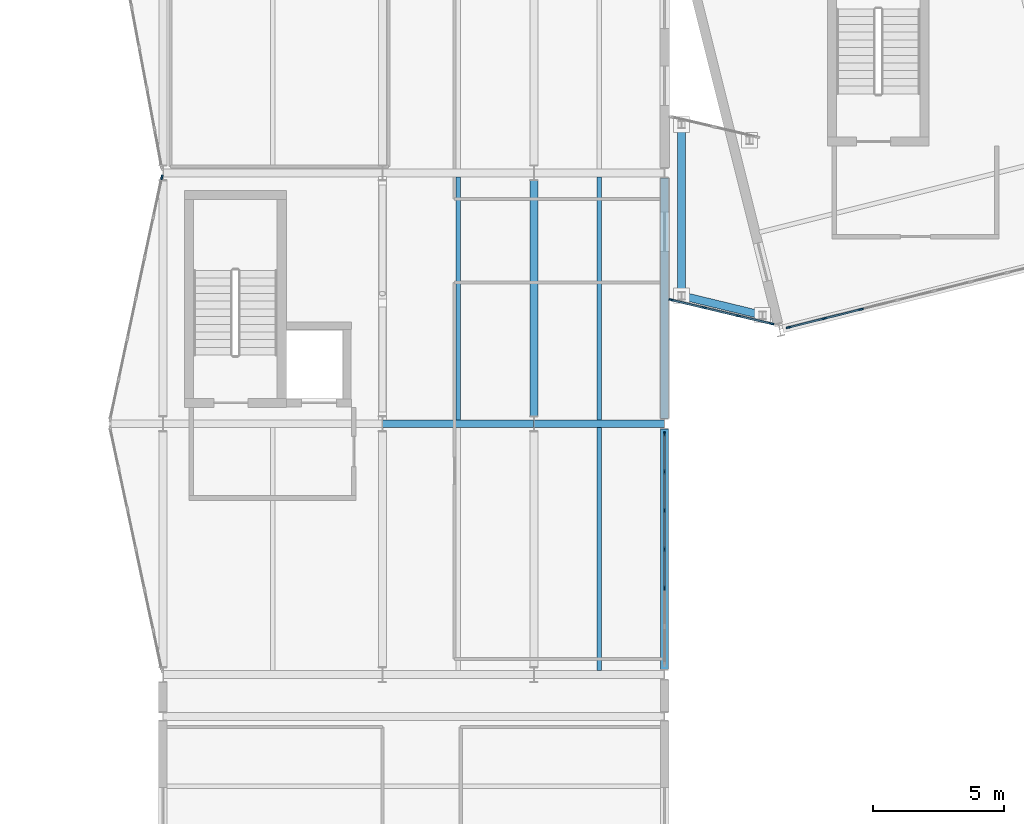
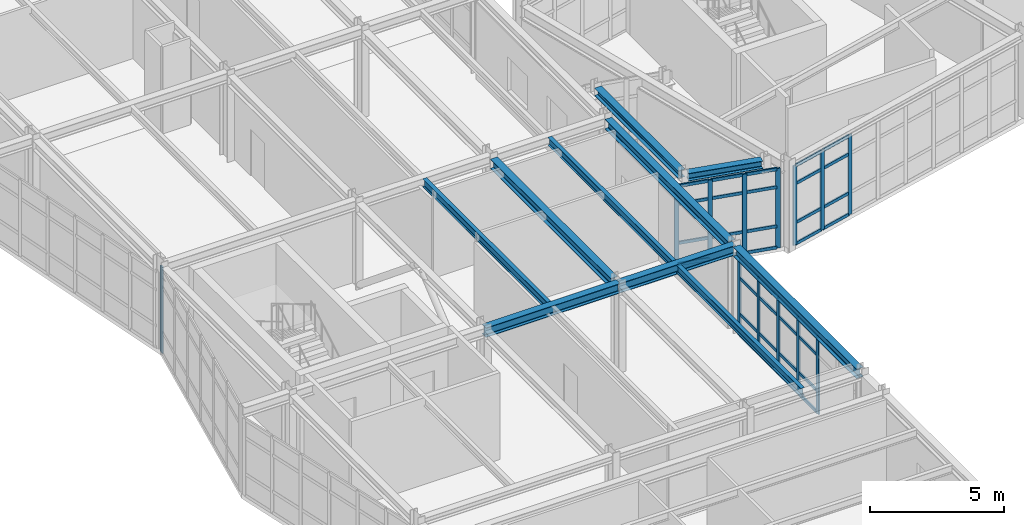
# One storey, part 23 of 99: 49 members, 10 beams, 4 elements without a shape of their own.
"""IFC4 building model written with IfcOpenShell, lengths in metres."""

import ifcopenshell
import ifcopenshell.guid

model = None  # the IFC model being written
_history = None  # IfcOwnerHistory: only IFC2X3 demands one
_inside = {}  # id of a spatial element -> (the spatial element, [elements in it])
_under = {}  # id of a project, library or spatial element -> (it, [spatial elements below it])
_declared = {}  # id of a project -> (the project, [libraries it declares])
_typed = {}  # id of a type object -> (the type object, [elements of that type])
_made_of = {}  # id of a material, layer set ... -> (it, [elements and type objects made of it])


def new_model(schema):
    """Start an empty IFC model of exactly this schema.

    Asked for "IFC4X3", IfcOpenShell would pick the latest addendum, in which some entities
    have other attributes; the version numbers below select the first issue.
    IFC2X3 requires an IfcOwnerHistory on every rooted entity: one is made here for all.
    """
    global model, _history
    if schema == "IFC4X3":
        model = ifcopenshell.file(schema_version=(4, 3, 0, 0))
    else:
        model = ifcopenshell.file(schema=schema)
    _inside.clear()
    _under.clear()
    _declared.clear()
    _typed.clear()
    _made_of.clear()
    _history = None
    if model.schema == "IFC2X3":
        org = make("IfcOrganization", Name="unknown")
        user = make(
            "IfcPersonAndOrganization",
            ThePerson=make("IfcPerson", FamilyName="unknown"),
            TheOrganization=org,
        )
        app = make(
            "IfcApplication",
            ApplicationDeveloper=org,
            Version="unknown",
            ApplicationFullName="unknown",
            ApplicationIdentifier="unknown",
        )
        _history = make(
            "IfcOwnerHistory",
            OwningUser=user,
            OwningApplication=app,
            ChangeAction="ADDED",
            CreationDate=0,
        )
    return model


def make(cls, **values):
    """One entity of the class cls with the attributes given. An attribute that is None is left unset."""
    return model.create_entity(
        cls, **{name: value for name, value in values.items() if value is not None}
    )


def rooted(cls, **values):
    """An entity with a GlobalId (a new one), such as an element, a storey or a relation."""
    return make(cls, GlobalId=ifcopenshell.guid.new(), OwnerHistory=_history, **values)


def si_unit(unit_type, name, prefix=None):
    """IfcSIUnit, for example si_unit("LENGTHUNIT", "METRE", prefix="MILLI")."""
    return make("IfcSIUnit", UnitType=unit_type, Prefix=prefix, Name=name)


def assignment(units):
    """IfcUnitAssignment: the units of a project."""
    return None if units is None else make("IfcUnitAssignment", Units=units)


def point(xyz):
    """IfcCartesianPoint."""
    return None if xyz is None else make("IfcCartesianPoint", Coordinates=xyz)


def direction(xyz):
    """IfcDirection."""
    return None if xyz is None else make("IfcDirection", DirectionRatios=xyz)


def frame(location, z_axis=None, x_axis=None):
    """IfcAxis2Placement3D, a coordinate frame: its origin and axes. An axis left out is left unset."""
    return make(
        "IfcAxis2Placement3D",
        Location=point(location),
        Axis=direction(z_axis),
        RefDirection=direction(x_axis),
    )


def frame_2d(location, x_axis=None):
    """IfcAxis2Placement2D, a coordinate frame in the plane: its origin and x axis."""
    return make(
        "IfcAxis2Placement2D", Location=point(location), RefDirection=direction(x_axis)
    )


def origin():
    """The frame at (0, 0, 0) with its axes left unset."""
    return frame((0.0, 0.0, 0.0))


def origin_2d():
    """The frame at (0, 0) in the plane with its x axis left unset."""
    return frame_2d((0.0, 0.0))


def place(relative_to, where):
    """IfcLocalPlacement: puts the frame where relative to a parent placement (None: the world)."""
    return make(
        "IfcLocalPlacement", PlacementRelTo=relative_to, RelativePlacement=where
    )


def context(
    kind, dimensions, precision=None, world=None, true_north=None, identifier=None
):
    """IfcGeometricRepresentationContext, for example the 3D "Model" context."""
    return make(
        "IfcGeometricRepresentationContext",
        ContextIdentifier=identifier,
        ContextType=kind,
        CoordinateSpaceDimension=dimensions,
        Precision=precision,
        WorldCoordinateSystem=world,
        TrueNorth=true_north,
    )


def subcontext(parent, identifier, kind, view, scale=None):
    """IfcGeometricRepresentationSubContext, for example "Body" below "Model"."""
    return make(
        "IfcGeometricRepresentationSubContext",
        ContextIdentifier=identifier,
        ContextType=kind,
        ParentContext=parent,
        TargetScale=scale,
        TargetView=view,
    )


def project(units=None, contexts=None):
    """IfcProject with its units and contexts."""
    return rooted(
        "IfcProject",
        Name="project",
        RepresentationContexts=contexts,
        UnitsInContext=assignment(units),
    )


def spatial(cls, under=None, at=None, **own):
    """A site, building, storey or space (cls), placed at a placement, below another one or the project."""
    s = rooted(cls, ObjectPlacement=at, **own)
    if under is not None:
        _under.setdefault(under.id(), (under, []))[1].append(s)
    return s


def profile(cls, at=None, kind="AREA", **sizes):
    """A parametric profile (cls). Its sizes go by their IFC names, for example OverallWidth=200.0."""
    return make(cls, ProfileType=kind, Position=at, **sizes)


def rectangle(**sizes):
    """IfcRectangleProfileDef."""
    return profile("IfcRectangleProfileDef", **sizes)


def i_section(**sizes):
    """IfcIShapeProfileDef."""
    return profile("IfcIShapeProfileDef", **sizes)


def extrude(swept, where, along, depth):
    """IfcExtrudedAreaSolid: the profile swept, set in the frame where, extruded along a direction by depth."""
    return make(
        "IfcExtrudedAreaSolid",
        SweptArea=swept,
        Position=where,
        ExtrudedDirection=direction(along),
        Depth=depth,
    )


def shape(context_of_items, identifier, shape_type, items):
    """IfcShapeRepresentation: the items that make up one representation, for example the "Body"."""
    return make(
        "IfcShapeRepresentation",
        ContextOfItems=context_of_items,
        RepresentationIdentifier=identifier,
        RepresentationType=shape_type,
        Items=items,
    )


def material(Name=None, Category=None):
    """IfcMaterial."""
    return make("IfcMaterial", Name=Name, Category=Category)


def layer(
    of_material, thickness, ventilated=None, Name=None, Category=None, Priority=None
):
    """IfcMaterialLayer: one layer of a wall or slab, of a material (None: an air gap)."""
    return make(
        "IfcMaterialLayer",
        Material=of_material,
        LayerThickness=thickness,
        IsVentilated=ventilated,
        Name=Name,
        Category=Category,
        Priority=Priority,
    )


def layer_set(layers, Name=None):
    """IfcMaterialLayerSet."""
    return make("IfcMaterialLayerSet", MaterialLayers=layers, LayerSetName=Name)


def material_profile(
    of_material, cross_section, Name=None, Category=None, Priority=None
):
    """IfcMaterialProfile: a cross section and its material."""
    return make(
        "IfcMaterialProfile",
        Name=Name,
        Material=of_material,
        Profile=cross_section,
        Priority=Priority,
        Category=Category,
    )


def profile_set(profiles, Name=None, composite=None):
    """IfcMaterialProfileSet."""
    return make(
        "IfcMaterialProfileSet",
        Name=Name,
        MaterialProfiles=profiles,
        CompositeProfile=composite,
    )


def made_of(thing, what):
    """Note that an element or type object is made of a material, layer set ...; save() writes the relation."""
    if what is not None:
        _made_of.setdefault(what.id(), (what, []))[1].append(thing)
    return thing


def type_object(cls, material=None, **own):
    """A type object (cls), such as IfcWallType, which elements share."""
    return made_of(rooted(cls, **own), material)


def element(
    cls,
    number,
    at=None,
    inside=None,
    cuts=None,
    type_object=None,
    material=None,
    context=None,
    identifier="Body",
    shape_type=None,
    held_by="IfcProductDefinitionShape",
    body=None,
    shapes=None,
    **own,
):
    """One element of the class cls, such as IfcWall. Its Tag is "e" and its number.

    at: its placement. inside: the storey or other place that contains it. cuts: it is an
    opening in that element (IfcRelVoidsElement). A single representation is given by context,
    identifier, shape_type and body (its items); several are given by shapes. held_by: the class
    of the entity that holds the representations. save() writes the other relations.
    """
    e = rooted(cls, Tag="e%d" % number, ObjectPlacement=at, **own)
    if body is not None:
        shapes = [shape(context, identifier, shape_type, body)]
    if shapes is not None:
        e.Representation = make(held_by, Representations=shapes)
    if inside is not None:
        _inside.setdefault(inside.id(), (inside, []))[1].append(e)
    if cuts is not None:
        rooted(
            "IfcRelVoidsElement", RelatingBuildingElement=cuts, RelatedOpeningElement=e
        )
    if type_object is not None:
        _typed.setdefault(type_object.id(), (type_object, []))[1].append(e)
    return made_of(e, material)


def aggregate(whole, parts):
    """IfcRelAggregates: a whole, such as a stair, and the parts it consists of."""
    return rooted("IfcRelAggregates", RelatingObject=whole, RelatedObjects=parts)


def save(model, path):
    """Write the relations noted so far, then the file.

    IfcRelAggregates (storeys below a building ...), IfcRelContainedInSpatialStructure (elements
    in a storey), IfcRelDefinesByType, IfcRelAssociatesMaterial and IfcRelDeclares: one each for
    every whole, place, type object, material and project.
    """
    for whole, parts in _under.values():
        aggregate(whole, parts)
    for where, things in _inside.values():
        rooted(
            "IfcRelContainedInSpatialStructure",
            RelatedElements=things,
            RelatingStructure=where,
        )
    for kind, things in _typed.values():
        rooted("IfcRelDefinesByType", RelatedObjects=things, RelatingType=kind)
    for what, things in _made_of.values():
        rooted("IfcRelAssociatesMaterial", RelatedObjects=things, RelatingMaterial=what)
    for by, libraries in _declared.values():
        rooted("IfcRelDeclares", RelatingContext=by, RelatedDefinitions=libraries)
    model.write(path)


model = new_model("IFC4")

# Units and contexts
model_context = context("Model", 3, precision=1e-05, world=origin(), true_north=direction((0.0, 1.0)))
body_context = subcontext(model_context, "Body", "Model", "MODEL_VIEW")
ifc_project = project(units=[si_unit("LENGTHUNIT", "METRE"), si_unit("AREAUNIT", "SQUARE_METRE"), si_unit("VOLUMEUNIT", "CUBIC_METRE"), si_unit("PLANEANGLEUNIT", "RADIAN"), si_unit("MASSUNIT", "GRAM", prefix="KILO")], contexts=[model_context])

# Site, building, storey
site_placement = place(None, origin())
site = spatial("IfcSite", under=ifc_project, at=site_placement, CompositionType="ELEMENT")
building_placement = place(site_placement, origin())
building = spatial("IfcBuilding", under=site, at=building_placement, Name="Nordkorset Police Headquarters", CompositionType="ELEMENT")
storey_placement = place(building_placement, frame((0.0, 0.0, 5.25)))
storey = spatial("IfcBuildingStorey", under=building, at=storey_placement, Name="L01", CompositionType="ELEMENT", Elevation=5.25)

# Beams
ifc_material_1 = material(Name="Steel S355J2", Category="steel")
ifc_material_profile_1 = material_profile(ifc_material_1, i_section(OverallWidth=0.169921875, OverallDepth=0.360107421875, WebThickness=0.008056640625, FlangeThickness=0.0126953125, FilletRadius=0.01806640625, at=origin_2d()), Name="IPE 360")
ifc_profile_set_1 = profile_set([ifc_material_profile_1], Name="Steel S355J2")
beam_type_1 = type_object("IfcBeamType", Name="Beam_IPE_360", PredefinedType="BEAM", material=ifc_profile_set_1)
for number, where, z_axis, x_axis, name in (
    (1, (11.300048828125, 38.550048828125, 3.780029296875), (0.0, 1.0, 0.0), (-1.0, 0.0, 0.0), "Composite Floor Beam V3 L01 1-1-1"),
    (2, (16.699951171875, 28.949951171875, 3.780029296875), (0.0, 1.0, 0.0), (-1.0, 0.0, 0.0), "Composite Floor Beam V3 L01 2-0-1"),
    (3, (16.699951171875, 38.550048828125, 3.780029296875), (0.0, 1.0, 0.0), (-1.0, 0.0, 0.0), "Composite Floor Beam V3 L01 2-1-1"),
):
    element("IfcBeam", number, at=place(storey_placement, frame(where, z_axis=z_axis, x_axis=x_axis)), inside=storey, type_object=beam_type_1, Name=name, PredefinedType="BEAM", context=body_context, shape_type="SweptSolid", body=[
        extrude(i_section(OverallWidth=0.169921875, OverallDepth=0.360107421875, WebThickness=0.008056640625, FlangeThickness=0.0126953125, FilletRadius=0.01806640625, at=origin_2d()), origin(), (0.0, 0.0, 1.0), 9.300048828125),
    ])

# Curtain wall, members
ifc_material_2 = material(Name="Aluminium alloy AW-6060", Category="aluminium")
ifc_layer_1 = layer(ifc_material_2, 0.179931640625, Name="Aluminium alloy AW-6060")
ifc_layer_set_1 = layer_set([ifc_layer_1], Name="Aluminium alloy AW-6060")
curtain_wall_type_1 = type_object("IfcCurtainWallType", Name="CW_Unit_888x350", PredefinedType="USERDEFINED", material=ifc_layer_set_1)
curtain_wall_1_placement = place(storey_placement, origin())
curtain_wall_1 = element("IfcCurtainWall", 4, at=curtain_wall_1_placement, inside=storey, type_object=curtain_wall_type_1, Name="Unitised Curtain Wall L01 V3E-0", ObjectType="UNITISED CURTAIN WALL", PredefinedType="USERDEFINED")
ifc_material_3 = material(Name="Aluminium alloy AW-6060", Category="aluminium")
ifc_material_profile_2 = material_profile(ifc_material_3, rectangle(XDim=0.06494140625, YDim=0.179931640625, at=origin_2d()), Name="ALU MULL 65x180")
ifc_profile_set_2 = profile_set([ifc_material_profile_2], Name="Aluminium alloy AW-6060")
member_type_1 = type_object("IfcMemberType", Name="CW_Mullion_65x180", PredefinedType="MULLION", material=ifc_profile_set_2)
member_1_placement = place(storey_placement, frame((19.199951171875, 32.1201171875, 0.0), z_axis=(0.0, 0.0, 1.0), x_axis=(-1.0, 0.0, 0.0)))
member_1 = element("IfcMember", 5, at=member_1_placement, type_object=member_type_1, Name="CW-95 mullion 3", PredefinedType="MULLION", context=body_context, shape_type="SweptSolid", body=[
    extrude(rectangle(XDim=0.06494140625, YDim=0.179931640625, at=origin_2d()), origin(), (0.0, 0.0, 1.0), 3.5),
])
member_2_placement = place(storey_placement, frame((19.199951171875, 33.60009765625, 0.0), z_axis=(0.0, 0.0, 1.0), x_axis=(-1.0, 0.0, 0.0)))
member_2 = element("IfcMember", 6, at=member_2_placement, type_object=member_type_1, Name="CW-95 mullion 4", PredefinedType="MULLION", context=body_context, shape_type="SweptSolid", body=[
    extrude(rectangle(XDim=0.06494140625, YDim=0.179931640625, at=origin_2d()), origin(), (0.0, 0.0, 1.0), 3.5),
])
member_3_placement = place(storey_placement, frame((19.199951171875, 35.080078125, 0.0), z_axis=(0.0, 0.0, 1.0), x_axis=(-1.0, 0.0, 0.0)))
member_3 = element("IfcMember", 7, at=member_3_placement, type_object=member_type_1, Name="CW-95 mullion 5", PredefinedType="MULLION", context=body_context, shape_type="SweptSolid", body=[
    extrude(rectangle(XDim=0.06494140625, YDim=0.179931640625, at=origin_2d()), origin(), (0.0, 0.0, 1.0), 3.5),
])
member_4_placement = place(storey_placement, frame((19.199951171875, 36.56005859375, 0.0), z_axis=(0.0, 0.0, 1.0), x_axis=(-1.0, 0.0, 0.0)))
member_4 = element("IfcMember", 8, at=member_4_placement, type_object=member_type_1, Name="CW-95 mullion 6", PredefinedType="MULLION", context=body_context, shape_type="SweptSolid", body=[
    extrude(rectangle(XDim=0.06494140625, YDim=0.179931640625, at=origin_2d()), origin(), (0.0, 0.0, 1.0), 3.5),
])
member_5_placement = place(storey_placement, frame((19.199951171875, 38.007568359375, 0.0), z_axis=(0.0, 0.0, 1.0), x_axis=(-1.0, 0.0, 0.0)))
member_5 = element("IfcMember", 9, at=member_5_placement, type_object=member_type_1, Name="CW-95 mullion 7", PredefinedType="MULLION", context=body_context, shape_type="SweptSolid", body=[
    extrude(rectangle(XDim=0.06494140625, YDim=0.179931640625, at=origin_2d()), origin(), (0.0, 0.0, 1.0), 3.5),
])

# Curtain wall, member
ifc_material_4 = material(Name="Aluminium alloy AW-6060", Category="aluminium")
ifc_layer_2 = layer(ifc_material_4, 0.179931640625, Name="Aluminium alloy AW-6060")
ifc_layer_set_2 = layer_set([ifc_layer_2], Name="Aluminium alloy AW-6060")
curtain_wall_type_2 = type_object("IfcCurtainWallType", Name="CW_Unit_954x392", PredefinedType="USERDEFINED", material=ifc_layer_set_2)
curtain_wall_2_placement = place(storey_placement, origin())
curtain_wall_2 = element("IfcCurtainWall", 10, at=curtain_wall_2_placement, inside=storey, type_object=curtain_wall_type_2, Name="Unitised Curtain Wall L01 V3W-1", ObjectType="UNITISED CURTAIN WALL", PredefinedType="USERDEFINED")
member_6_placement = place(storey_placement, frame((-0.0361328125, 47.831298828125, 0.0), z_axis=(0.0, 0.0, 1.0), x_axis=(-0.977951416289, 0.208832534289, 0.0)))
member_6 = element("IfcMember", 11, at=member_6_placement, type_object=member_type_1, Name="CW-20 mullion 7", PredefinedType="MULLION", context=body_context, shape_type="SweptSolid", body=[
    extrude(rectangle(XDim=0.06494140625, YDim=0.179931640625, at=origin_2d()), origin(), (0.0, 0.0, 1.0), 3.919921875),
])
aggregate(curtain_wall_2, [member_6])

# Curtain wall, members
ifc_material_5 = material(Name="Aluminium alloy AW-6060", Category="aluminium")
ifc_layer_3 = layer(ifc_material_5, 0.179931640625, Name="Aluminium alloy AW-6060")
ifc_layer_set_3 = layer_set([ifc_layer_3], Name="Aluminium alloy AW-6060")
curtain_wall_type_3 = type_object("IfcCurtainWallType", Name="CW_Unit_1156x363", PredefinedType="USERDEFINED", material=ifc_layer_set_3)
curtain_wall_3_placement = place(storey_placement, origin())
curtain_wall_3 = element("IfcCurtainWall", 12, at=curtain_wall_3_placement, inside=storey, type_object=curtain_wall_type_3, Name="Unitised Curtain Wall L01 V4S-0", ObjectType="UNITISED CURTAIN WALL", PredefinedType="USERDEFINED")
member_7_placement = place(storey_placement, frame((23.94189453125, 42.08544921875, 0.0), z_axis=(0.0, 0.0, 1.0), x_axis=(-0.242535625038, 0.970142500145, 0.0)))
member_7 = element("IfcMember", 13, at=member_7_placement, type_object=member_type_1, Name="CW-01 mullion 1", PredefinedType="MULLION", context=body_context, shape_type="SweptSolid", body=[
    extrude(rectangle(XDim=0.06494140625, YDim=0.179931640625, at=origin_2d()), origin(), (0.0, 0.0, 1.0), 3.6298828125),
])
member_8_placement = place(storey_placement, frame((25.312255859375, 42.427978515625, 0.0), z_axis=(0.0, 0.0, 1.0), x_axis=(-0.242535625038, 0.970142500145, 0.0)))
member_8 = element("IfcMember", 14, at=member_8_placement, type_object=member_type_1, Name="CW-01 mullion 2", PredefinedType="MULLION", context=body_context, shape_type="SweptSolid", body=[
    extrude(rectangle(XDim=0.06494140625, YDim=0.179931640625, at=origin_2d()), origin(), (0.0, 0.0, 1.0), 3.6298828125),
])
member_9_placement = place(storey_placement, frame((26.714111328125, 42.778564453125, 0.0), z_axis=(0.0, 0.0, 1.0), x_axis=(-0.242535625038, 0.970142500145, 0.0)))
member_9 = element("IfcMember", 15, at=member_9_placement, type_object=member_type_1, Name="CW-01 mullion 3", PredefinedType="MULLION", context=body_context, shape_type="SweptSolid", body=[
    extrude(rectangle(XDim=0.06494140625, YDim=0.179931640625, at=origin_2d()), origin(), (0.0, 0.0, 1.0), 3.6298828125),
])

ifc_material_6 = material(Name="Aluminium alloy AW-6060", Category="aluminium")
ifc_layer_4 = layer(ifc_material_6, 0.179931640625, Name="Aluminium alloy AW-6060")
ifc_layer_set_4 = layer_set([ifc_layer_4], Name="Aluminium alloy AW-6060")
curtain_wall_type_4 = type_object("IfcCurtainWallType", Name="CW_Unit_401x364", PredefinedType="USERDEFINED", material=ifc_layer_set_4)
curtain_wall_4_placement = place(storey_placement, origin())
curtain_wall_4 = element("IfcCurtainWall", 16, at=curtain_wall_4_placement, inside=storey, type_object=curtain_wall_type_4, Name="Unitised Curtain Wall L01 BRGW-S", ObjectType="UNITISED CURTAIN WALL", PredefinedType="USERDEFINED")
member_10_placement = place(storey_placement, frame((19.456787109375, 43.140869140625, 0.0), z_axis=(0.0, 0.0, 1.0), x_axis=(0.231206329825, 0.972904739966, 0.0)))
member_10 = element("IfcMember", 17, at=member_10_placement, type_object=member_type_1, Name="CW-14 mullion 1", PredefinedType="MULLION", context=body_context, shape_type="SweptSolid", body=[
    extrude(rectangle(XDim=0.06494140625, YDim=0.179931640625, at=origin_2d()), origin(), (0.0, 0.0, 1.0), 3.635009765625),
])
member_11_placement = place(storey_placement, frame((20.72509765625, 42.83935546875, 0.0), z_axis=(0.0, 0.0, 1.0), x_axis=(0.231206329825, 0.972904739966, 0.0)))
member_11 = element("IfcMember", 18, at=member_11_placement, type_object=member_type_1, Name="CW-14 mullion 2", PredefinedType="MULLION", context=body_context, shape_type="SweptSolid", body=[
    extrude(rectangle(XDim=0.06494140625, YDim=0.179931640625, at=origin_2d()), origin(), (0.0, 0.0, 1.0), 3.635009765625),
])
member_12_placement = place(storey_placement, frame((22.02490234375, 42.530517578125, 0.0), z_axis=(0.0, 0.0, 1.0), x_axis=(0.231206329825, 0.972904739966, 0.0)))
member_12 = element("IfcMember", 19, at=member_12_placement, type_object=member_type_1, Name="CW-14 mullion 3", PredefinedType="MULLION", context=body_context, shape_type="SweptSolid", body=[
    extrude(rectangle(XDim=0.06494140625, YDim=0.179931640625, at=origin_2d()), origin(), (0.0, 0.0, 1.0), 3.635009765625),
])
member_13_placement = place(storey_placement, frame((23.293212890625, 42.229248046875, 0.0), z_axis=(0.0, 0.0, 1.0), x_axis=(0.231206329825, 0.972904739966, 0.0)))
member_13 = element("IfcMember", 20, at=member_13_placement, type_object=member_type_1, Name="CW-14 mullion 4", PredefinedType="MULLION", context=body_context, shape_type="SweptSolid", body=[
    extrude(rectangle(XDim=0.06494140625, YDim=0.179931640625, at=origin_2d()), origin(), (0.0, 0.0, 1.0), 3.635009765625),
])

# Member
ifc_material_7 = material(Name="Aluminium alloy AW-6060", Category="aluminium")
ifc_material_profile_3 = material_profile(ifc_material_7, rectangle(XDim=0.06494140625, YDim=0.139892578125, at=origin_2d()), Name="ALU TRAN 65x140")
ifc_profile_set_3 = profile_set([ifc_material_profile_3], Name="Aluminium alloy AW-6060")
member_type_2 = type_object("IfcMemberType", Name="CW_Transom_65x140", PredefinedType="USERDEFINED", material=ifc_profile_set_3)
member_14_placement = place(storey_placement, frame((19.199951171875, 32.152587890625, 0.032470703125), z_axis=(0.0, 1.0, 0.0), x_axis=(-1.0, 0.0, 0.0)))
member_14 = element("IfcMember", 21, at=member_14_placement, type_object=member_type_2, Name="CW-95 transom 3.1", ObjectType="TRANSOM", PredefinedType="USERDEFINED", context=body_context, shape_type="SweptSolid", body=[
    extrude(rectangle(XDim=0.06494140625, YDim=0.139892578125, at=origin_2d()), origin(), (0.0, 0.0, 1.0), 1.414794921875),
])

member_15_placement = place(storey_placement, frame((19.199951171875, 32.152587890625, 1.0), z_axis=(0.0, 1.0, 0.0), x_axis=(-1.0, 0.0, 0.0)))
member_15 = element("IfcMember", 22, at=member_15_placement, type_object=member_type_2, Name="CW-95 transom 3.2", ObjectType="TRANSOM", PredefinedType="USERDEFINED", context=body_context, shape_type="SweptSolid", body=[
    extrude(rectangle(XDim=0.06494140625, YDim=0.139892578125, at=origin_2d()), origin(), (0.0, 0.0, 1.0), 1.414794921875),
])

member_16_placement = place(storey_placement, frame((19.199951171875, 32.152587890625, 2.64990234375), z_axis=(0.0, 1.0, 0.0), x_axis=(-1.0, 0.0, 0.0)))
member_16 = element("IfcMember", 23, at=member_16_placement, type_object=member_type_2, Name="CW-95 transom 3.3", ObjectType="TRANSOM", PredefinedType="USERDEFINED", context=body_context, shape_type="SweptSolid", body=[
    extrude(rectangle(XDim=0.06494140625, YDim=0.139892578125, at=origin_2d()), origin(), (0.0, 0.0, 1.0), 1.414794921875),
])

member_17_placement = place(storey_placement, frame((19.199951171875, 32.152587890625, 3.467529296875), z_axis=(0.0, 1.0, 0.0), x_axis=(-1.0, 0.0, 0.0)))
member_17 = element("IfcMember", 24, at=member_17_placement, type_object=member_type_2, Name="CW-95 transom 3.4", ObjectType="TRANSOM", PredefinedType="USERDEFINED", context=body_context, shape_type="SweptSolid", body=[
    extrude(rectangle(XDim=0.06494140625, YDim=0.139892578125, at=origin_2d()), origin(), (0.0, 0.0, 1.0), 1.414794921875),
])

member_18_placement = place(storey_placement, frame((19.199951171875, 33.632568359375, 0.032470703125), z_axis=(0.0, 1.0, 0.0), x_axis=(-1.0, 0.0, 0.0)))
member_18 = element("IfcMember", 25, at=member_18_placement, type_object=member_type_2, Name="CW-95 transom 4.1", ObjectType="TRANSOM", PredefinedType="USERDEFINED", context=body_context, shape_type="SweptSolid", body=[
    extrude(rectangle(XDim=0.06494140625, YDim=0.139892578125, at=origin_2d()), origin(), (0.0, 0.0, 1.0), 1.4150390625),
])

member_19_placement = place(storey_placement, frame((19.199951171875, 33.632568359375, 1.0), z_axis=(0.0, 1.0, 0.0), x_axis=(-1.0, 0.0, 0.0)))
member_19 = element("IfcMember", 26, at=member_19_placement, type_object=member_type_2, Name="CW-95 transom 4.2", ObjectType="TRANSOM", PredefinedType="USERDEFINED", context=body_context, shape_type="SweptSolid", body=[
    extrude(rectangle(XDim=0.06494140625, YDim=0.139892578125, at=origin_2d()), origin(), (0.0, 0.0, 1.0), 1.4150390625),
])

member_20_placement = place(storey_placement, frame((19.199951171875, 33.632568359375, 2.64990234375), z_axis=(0.0, 1.0, 0.0), x_axis=(-1.0, 0.0, 0.0)))
member_20 = element("IfcMember", 27, at=member_20_placement, type_object=member_type_2, Name="CW-95 transom 4.3", ObjectType="TRANSOM", PredefinedType="USERDEFINED", context=body_context, shape_type="SweptSolid", body=[
    extrude(rectangle(XDim=0.06494140625, YDim=0.139892578125, at=origin_2d()), origin(), (0.0, 0.0, 1.0), 1.4150390625),
])

member_21_placement = place(storey_placement, frame((19.199951171875, 33.632568359375, 3.467529296875), z_axis=(0.0, 1.0, 0.0), x_axis=(-1.0, 0.0, 0.0)))
member_21 = element("IfcMember", 28, at=member_21_placement, type_object=member_type_2, Name="CW-95 transom 4.4", ObjectType="TRANSOM", PredefinedType="USERDEFINED", context=body_context, shape_type="SweptSolid", body=[
    extrude(rectangle(XDim=0.06494140625, YDim=0.139892578125, at=origin_2d()), origin(), (0.0, 0.0, 1.0), 1.4150390625),
])

member_22_placement = place(storey_placement, frame((19.199951171875, 35.112548828125, 0.032470703125), z_axis=(0.0, 1.0, 0.0), x_axis=(-1.0, 0.0, 0.0)))
member_22 = element("IfcMember", 29, at=member_22_placement, type_object=member_type_2, Name="CW-95 transom 5.1", ObjectType="TRANSOM", PredefinedType="USERDEFINED", context=body_context, shape_type="SweptSolid", body=[
    extrude(rectangle(XDim=0.06494140625, YDim=0.139892578125, at=origin_2d()), origin(), (0.0, 0.0, 1.0), 1.4150390625),
])

member_23_placement = place(storey_placement, frame((19.199951171875, 35.112548828125, 1.0), z_axis=(0.0, 1.0, 0.0), x_axis=(-1.0, 0.0, 0.0)))
member_23 = element("IfcMember", 30, at=member_23_placement, type_object=member_type_2, Name="CW-95 transom 5.2", ObjectType="TRANSOM", PredefinedType="USERDEFINED", context=body_context, shape_type="SweptSolid", body=[
    extrude(rectangle(XDim=0.06494140625, YDim=0.139892578125, at=origin_2d()), origin(), (0.0, 0.0, 1.0), 1.4150390625),
])

member_24_placement = place(storey_placement, frame((19.199951171875, 35.112548828125, 2.64990234375), z_axis=(0.0, 1.0, 0.0), x_axis=(-1.0, 0.0, 0.0)))
member_24 = element("IfcMember", 31, at=member_24_placement, type_object=member_type_2, Name="CW-95 transom 5.3", ObjectType="TRANSOM", PredefinedType="USERDEFINED", context=body_context, shape_type="SweptSolid", body=[
    extrude(rectangle(XDim=0.06494140625, YDim=0.139892578125, at=origin_2d()), origin(), (0.0, 0.0, 1.0), 1.4150390625),
])

member_25_placement = place(storey_placement, frame((19.199951171875, 35.112548828125, 3.467529296875), z_axis=(0.0, 1.0, 0.0), x_axis=(-1.0, 0.0, 0.0)))
member_25 = element("IfcMember", 32, at=member_25_placement, type_object=member_type_2, Name="CW-95 transom 5.4", ObjectType="TRANSOM", PredefinedType="USERDEFINED", context=body_context, shape_type="SweptSolid", body=[
    extrude(rectangle(XDim=0.06494140625, YDim=0.139892578125, at=origin_2d()), origin(), (0.0, 0.0, 1.0), 1.4150390625),
])

member_26_placement = place(storey_placement, frame((19.199951171875, 36.592529296875, 0.032470703125), z_axis=(0.0, 1.0, 0.0), x_axis=(-1.0, 0.0, 0.0)))
member_26 = element("IfcMember", 33, at=member_26_placement, type_object=member_type_2, Name="CW-95 transom 6.1", ObjectType="TRANSOM", PredefinedType="USERDEFINED", context=body_context, shape_type="SweptSolid", body=[
    extrude(rectangle(XDim=0.06494140625, YDim=0.139892578125, at=origin_2d()), origin(), (0.0, 0.0, 1.0), 1.382568359375),
])

member_27_placement = place(storey_placement, frame((19.199951171875, 36.592529296875, 1.0), z_axis=(0.0, 1.0, 0.0), x_axis=(-1.0, 0.0, 0.0)))
member_27 = element("IfcMember", 34, at=member_27_placement, type_object=member_type_2, Name="CW-95 transom 6.2", ObjectType="TRANSOM", PredefinedType="USERDEFINED", context=body_context, shape_type="SweptSolid", body=[
    extrude(rectangle(XDim=0.06494140625, YDim=0.139892578125, at=origin_2d()), origin(), (0.0, 0.0, 1.0), 1.382568359375),
])

member_28_placement = place(storey_placement, frame((19.199951171875, 36.592529296875, 2.64990234375), z_axis=(0.0, 1.0, 0.0), x_axis=(-1.0, 0.0, 0.0)))
member_28 = element("IfcMember", 35, at=member_28_placement, type_object=member_type_2, Name="CW-95 transom 6.3", ObjectType="TRANSOM", PredefinedType="USERDEFINED", context=body_context, shape_type="SweptSolid", body=[
    extrude(rectangle(XDim=0.06494140625, YDim=0.139892578125, at=origin_2d()), origin(), (0.0, 0.0, 1.0), 1.382568359375),
])

member_29_placement = place(storey_placement, frame((19.199951171875, 36.592529296875, 3.467529296875), z_axis=(0.0, 1.0, 0.0), x_axis=(-1.0, 0.0, 0.0)))
member_29 = element("IfcMember", 36, at=member_29_placement, type_object=member_type_2, Name="CW-95 transom 6.4", ObjectType="TRANSOM", PredefinedType="USERDEFINED", context=body_context, shape_type="SweptSolid", body=[
    extrude(rectangle(XDim=0.06494140625, YDim=0.139892578125, at=origin_2d()), origin(), (0.0, 0.0, 1.0), 1.382568359375),
])

aggregate(curtain_wall_1, [member_1, member_2, member_3, member_4, member_5, member_14, member_15, member_16, member_17, member_18, member_19, member_20, member_21, member_22, member_23, member_24, member_25, member_26, member_27, member_28, member_29])

member_30_placement = place(storey_placement, frame((23.973388671875, 42.09326171875, 0.032470703125), z_axis=(0.970131842518, 0.242578251565, 0.0), x_axis=(-0.242578251565, 0.970131842518, 0.0)))
member_30 = element("IfcMember", 37, at=member_30_placement, type_object=member_type_2, Name="CW-01 transom 1.1", ObjectType="TRANSOM", PredefinedType="USERDEFINED", context=body_context, shape_type="SweptSolid", body=[
    extrude(rectangle(XDim=0.06494140625, YDim=0.139892578125, at=origin_2d()), origin(), (0.0, 0.0, 1.0), 1.34765625),
])

member_31_placement = place(storey_placement, frame((23.973388671875, 42.09326171875, 1.0), z_axis=(0.970131842518, 0.242578251565, 0.0), x_axis=(-0.242578251565, 0.970131842518, 0.0)))
member_31 = element("IfcMember", 38, at=member_31_placement, type_object=member_type_2, Name="CW-01 transom 1.2", ObjectType="TRANSOM", PredefinedType="USERDEFINED", context=body_context, shape_type="SweptSolid", body=[
    extrude(rectangle(XDim=0.06494140625, YDim=0.139892578125, at=origin_2d()), origin(), (0.0, 0.0, 1.0), 1.34765625),
])

member_32_placement = place(storey_placement, frame((23.973388671875, 42.09326171875, 2.780029296875), z_axis=(0.970131842518, 0.242578251565, 0.0), x_axis=(-0.242578251565, 0.970131842518, 0.0)))
member_32 = element("IfcMember", 39, at=member_32_placement, type_object=member_type_2, Name="CW-01 transom 1.3", ObjectType="TRANSOM", PredefinedType="USERDEFINED", context=body_context, shape_type="SweptSolid", body=[
    extrude(rectangle(XDim=0.06494140625, YDim=0.139892578125, at=origin_2d()), origin(), (0.0, 0.0, 1.0), 1.34765625),
])

member_33_placement = place(storey_placement, frame((23.973388671875, 42.09326171875, 3.597412109375), z_axis=(0.970131842518, 0.242578251565, 0.0), x_axis=(-0.242578251565, 0.970131842518, 0.0)))
member_33 = element("IfcMember", 40, at=member_33_placement, type_object=member_type_2, Name="CW-01 transom 1.4", ObjectType="TRANSOM", PredefinedType="USERDEFINED", context=body_context, shape_type="SweptSolid", body=[
    extrude(rectangle(XDim=0.06494140625, YDim=0.139892578125, at=origin_2d()), origin(), (0.0, 0.0, 1.0), 1.34765625),
])

member_34_placement = place(storey_placement, frame((25.34375, 42.43603515625, 0.032470703125), z_axis=(0.970142500145, 0.242535625036, 0.0), x_axis=(-0.242535625036, 0.970142500145, 0.0)))
member_34 = element("IfcMember", 41, at=member_34_placement, type_object=member_type_2, Name="CW-01 transom 2.1", ObjectType="TRANSOM", PredefinedType="USERDEFINED", context=body_context, shape_type="SweptSolid", body=[
    extrude(rectangle(XDim=0.06494140625, YDim=0.139892578125, at=origin_2d()), origin(), (0.0, 0.0, 1.0), 1.380126953125),
])

member_35_placement = place(storey_placement, frame((25.34375, 42.43603515625, 1.0), z_axis=(0.970142500145, 0.242535625036, 0.0), x_axis=(-0.242535625036, 0.970142500145, 0.0)))
member_35 = element("IfcMember", 42, at=member_35_placement, type_object=member_type_2, Name="CW-01 transom 2.2", ObjectType="TRANSOM", PredefinedType="USERDEFINED", context=body_context, shape_type="SweptSolid", body=[
    extrude(rectangle(XDim=0.06494140625, YDim=0.139892578125, at=origin_2d()), origin(), (0.0, 0.0, 1.0), 1.380126953125),
])

member_36_placement = place(storey_placement, frame((25.34375, 42.43603515625, 2.780029296875), z_axis=(0.970142500145, 0.242535625036, 0.0), x_axis=(-0.242535625036, 0.970142500145, 0.0)))
member_36 = element("IfcMember", 43, at=member_36_placement, type_object=member_type_2, Name="CW-01 transom 2.3", ObjectType="TRANSOM", PredefinedType="USERDEFINED", context=body_context, shape_type="SweptSolid", body=[
    extrude(rectangle(XDim=0.06494140625, YDim=0.139892578125, at=origin_2d()), origin(), (0.0, 0.0, 1.0), 1.380126953125),
])

member_37_placement = place(storey_placement, frame((25.34375, 42.43603515625, 3.597412109375), z_axis=(0.970142500145, 0.242535625036, 0.0), x_axis=(-0.242535625036, 0.970142500145, 0.0)))
member_37 = element("IfcMember", 44, at=member_37_placement, type_object=member_type_2, Name="CW-01 transom 2.4", ObjectType="TRANSOM", PredefinedType="USERDEFINED", context=body_context, shape_type="SweptSolid", body=[
    extrude(rectangle(XDim=0.06494140625, YDim=0.139892578125, at=origin_2d()), origin(), (0.0, 0.0, 1.0), 1.380126953125),
])

aggregate(curtain_wall_3, [member_7, member_8, member_9, member_30, member_31, member_32, member_33, member_34, member_35, member_36, member_37])

member_38_placement = place(storey_placement, frame((19.48828125, 43.13330078125, 0.032470703125), z_axis=(0.972905523066, -0.231203034554, 0.0), x_axis=(0.231203034554, 0.972905523066, 0.0)))
member_38 = element("IfcMember", 45, at=member_38_placement, type_object=member_type_2, Name="CW-14 transom 1.1", ObjectType="TRANSOM", PredefinedType="USERDEFINED", context=body_context, shape_type="SweptSolid", body=[
    extrude(rectangle(XDim=0.06494140625, YDim=0.139892578125, at=origin_2d()), origin(), (0.0, 0.0, 1.0), 1.238525390625),
])

member_39_placement = place(storey_placement, frame((19.48828125, 43.13330078125, 1.0), z_axis=(0.972905523066, -0.231203034554, 0.0), x_axis=(0.231203034554, 0.972905523066, 0.0)))
member_39 = element("IfcMember", 46, at=member_39_placement, type_object=member_type_2, Name="CW-14 transom 1.2", ObjectType="TRANSOM", PredefinedType="USERDEFINED", context=body_context, shape_type="SweptSolid", body=[
    extrude(rectangle(XDim=0.06494140625, YDim=0.139892578125, at=origin_2d()), origin(), (0.0, 0.0, 1.0), 1.238525390625),
])

member_40_placement = place(storey_placement, frame((19.48828125, 43.13330078125, 2.784912109375), z_axis=(0.972905523066, -0.231203034554, 0.0), x_axis=(0.231203034554, 0.972905523066, 0.0)))
member_40 = element("IfcMember", 47, at=member_40_placement, type_object=member_type_2, Name="CW-14 transom 1.3", ObjectType="TRANSOM", PredefinedType="USERDEFINED", context=body_context, shape_type="SweptSolid", body=[
    extrude(rectangle(XDim=0.06494140625, YDim=0.139892578125, at=origin_2d()), origin(), (0.0, 0.0, 1.0), 1.238525390625),
])

member_41_placement = place(storey_placement, frame((19.48828125, 43.13330078125, 3.6025390625), z_axis=(0.972905523066, -0.231203034554, 0.0), x_axis=(0.231203034554, 0.972905523066, 0.0)))
member_41 = element("IfcMember", 48, at=member_41_placement, type_object=member_type_2, Name="CW-14 transom 1.4", ObjectType="TRANSOM", PredefinedType="USERDEFINED", context=body_context, shape_type="SweptSolid", body=[
    extrude(rectangle(XDim=0.06494140625, YDim=0.139892578125, at=origin_2d()), origin(), (0.0, 0.0, 1.0), 1.238525390625),
])

member_42_placement = place(storey_placement, frame((20.756591796875, 42.83203125, 0.032470703125), z_axis=(0.972900919479, -0.231222405656, 0.0), x_axis=(0.231222405656, 0.972900919479, 0.0)))
member_42 = element("IfcMember", 49, at=member_42_placement, type_object=member_type_2, Name="CW-14 transom 2.1", ObjectType="TRANSOM", PredefinedType="USERDEFINED", context=body_context, shape_type="SweptSolid", body=[
    extrude(rectangle(XDim=0.06494140625, YDim=0.139892578125, at=origin_2d()), origin(), (0.0, 0.0, 1.0), 1.271240234375),
])

member_43_placement = place(storey_placement, frame((20.756591796875, 42.83203125, 1.0), z_axis=(0.972900919479, -0.231222405656, 0.0), x_axis=(0.231222405656, 0.972900919479, 0.0)))
member_43 = element("IfcMember", 50, at=member_43_placement, type_object=member_type_2, Name="CW-14 transom 2.2", ObjectType="TRANSOM", PredefinedType="USERDEFINED", context=body_context, shape_type="SweptSolid", body=[
    extrude(rectangle(XDim=0.06494140625, YDim=0.139892578125, at=origin_2d()), origin(), (0.0, 0.0, 1.0), 1.271240234375),
])

member_44_placement = place(storey_placement, frame((20.756591796875, 42.83203125, 2.784912109375), z_axis=(0.972900919479, -0.231222405656, 0.0), x_axis=(0.231222405656, 0.972900919479, 0.0)))
member_44 = element("IfcMember", 51, at=member_44_placement, type_object=member_type_2, Name="CW-14 transom 2.3", ObjectType="TRANSOM", PredefinedType="USERDEFINED", context=body_context, shape_type="SweptSolid", body=[
    extrude(rectangle(XDim=0.06494140625, YDim=0.139892578125, at=origin_2d()), origin(), (0.0, 0.0, 1.0), 1.271240234375),
])

member_45_placement = place(storey_placement, frame((20.756591796875, 42.83203125, 3.6025390625), z_axis=(0.972900919479, -0.231222405656, 0.0), x_axis=(0.231222405656, 0.972900919479, 0.0)))
member_45 = element("IfcMember", 52, at=member_45_placement, type_object=member_type_2, Name="CW-14 transom 2.4", ObjectType="TRANSOM", PredefinedType="USERDEFINED", context=body_context, shape_type="SweptSolid", body=[
    extrude(rectangle(XDim=0.06494140625, YDim=0.139892578125, at=origin_2d()), origin(), (0.0, 0.0, 1.0), 1.271240234375),
])

member_46_placement = place(storey_placement, frame((22.056640625, 42.52294921875, 0.032470703125), z_axis=(0.972905523066, -0.231203034554, 0.0), x_axis=(0.231203034554, 0.972905523066, 0.0)))
member_46 = element("IfcMember", 53, at=member_46_placement, type_object=member_type_2, Name="CW-14 transom 3.1", ObjectType="TRANSOM", PredefinedType="USERDEFINED", context=body_context, shape_type="SweptSolid", body=[
    extrude(rectangle(XDim=0.06494140625, YDim=0.139892578125, at=origin_2d()), origin(), (0.0, 0.0, 1.0), 1.238525390625),
])

member_47_placement = place(storey_placement, frame((22.056640625, 42.52294921875, 1.0), z_axis=(0.972905523066, -0.231203034554, 0.0), x_axis=(0.231203034554, 0.972905523066, 0.0)))
member_47 = element("IfcMember", 54, at=member_47_placement, type_object=member_type_2, Name="CW-14 transom 3.2", ObjectType="TRANSOM", PredefinedType="USERDEFINED", context=body_context, shape_type="SweptSolid", body=[
    extrude(rectangle(XDim=0.06494140625, YDim=0.139892578125, at=origin_2d()), origin(), (0.0, 0.0, 1.0), 1.238525390625),
])

member_48_placement = place(storey_placement, frame((22.056640625, 42.52294921875, 2.784912109375), z_axis=(0.972905523066, -0.231203034554, 0.0), x_axis=(0.231203034554, 0.972905523066, 0.0)))
member_48 = element("IfcMember", 55, at=member_48_placement, type_object=member_type_2, Name="CW-14 transom 3.3", ObjectType="TRANSOM", PredefinedType="USERDEFINED", context=body_context, shape_type="SweptSolid", body=[
    extrude(rectangle(XDim=0.06494140625, YDim=0.139892578125, at=origin_2d()), origin(), (0.0, 0.0, 1.0), 1.238525390625),
])

member_49_placement = place(storey_placement, frame((22.056640625, 42.52294921875, 3.6025390625), z_axis=(0.972905523066, -0.231203034554, 0.0), x_axis=(0.231203034554, 0.972905523066, 0.0)))
member_49 = element("IfcMember", 56, at=member_49_placement, type_object=member_type_2, Name="CW-14 transom 3.4", ObjectType="TRANSOM", PredefinedType="USERDEFINED", context=body_context, shape_type="SweptSolid", body=[
    extrude(rectangle(XDim=0.06494140625, YDim=0.139892578125, at=origin_2d()), origin(), (0.0, 0.0, 1.0), 1.238525390625),
])

aggregate(curtain_wall_4, [member_10, member_11, member_12, member_13, member_38, member_39, member_40, member_41, member_42, member_43, member_44, member_45, member_46, member_47, member_48, member_49])

# Beams
ifc_material_8 = material(Name="Steel S355J2", Category="steel")
ifc_material_profile_4 = material_profile(ifc_material_8, i_section(OverallWidth=0.300048828125, OverallDepth=0.35009765625, WebThickness=0.010009765625, FlangeThickness=0.017578125, FilletRadius=0.027099609375, at=origin_2d()), Name="HEA 360")
ifc_profile_set_4 = profile_set([ifc_material_profile_4], Name="Steel S355J2")
beam_type_2 = type_object("IfcBeamType", Name="Girder_HEA_360", PredefinedType="USERDEFINED", material=ifc_profile_set_4)
beam_1_placement = place(storey_placement, frame((19.995849609375, 43.2646484375, 3.830078125), z_axis=(0.971958462556, -0.235152603781, 0.0), x_axis=(0.235152603781, 0.971958462556, 0.0)))
element("IfcBeam", 57, at=beam_1_placement, inside=storey, type_object=beam_type_2, Name="Courtyard Link Bridge Girder BRG-W L01 0", ObjectType="GIRDER", PredefinedType="USERDEFINED", context=body_context, shape_type="SweptSolid", body=[
    extrude(i_section(OverallWidth=0.300048828125, OverallDepth=0.35009765625, WebThickness=0.010009765625, FlangeThickness=0.017578125, FilletRadius=0.027099609375, at=origin_2d()), origin(), (0.0, 0.0, 1.0), 2.889404296875),
])
beam_2_placement = place(storey_placement, frame((19.85009765625, 43.449951171875, 3.830078125), z_axis=(0.0, 1.0, 0.0), x_axis=(-1.0, 0.0, 0.0)))
element("IfcBeam", 58, at=beam_2_placement, inside=storey, type_object=beam_type_2, Name="Courtyard Link Bridge Transverse Beam BRG-W L01 0", ObjectType="GIRDER", PredefinedType="USERDEFINED", context=body_context, shape_type="SweptSolid", body=[
    extrude(i_section(OverallWidth=0.300048828125, OverallDepth=0.35009765625, WebThickness=0.010009765625, FlangeThickness=0.017578125, FilletRadius=0.027099609375, at=origin_2d()), origin(), (0.0, 0.0, 1.0), 6.25),
])
ifc_material_9 = material(Name="Steel S355J2", Category="steel")
ifc_material_profile_5 = material_profile(ifc_material_9, i_section(OverallWidth=0.300048828125, OverallDepth=0.43994140625, WebThickness=0.011474609375, FlangeThickness=0.02099609375, FilletRadius=0.027099609375, at=origin_2d()), Name="HEA 450")
ifc_profile_set_5 = profile_set([ifc_material_profile_5], Name="Steel S355J2")
beam_type_3 = type_object("IfcBeamType", Name="Girder_HEA_450", PredefinedType="USERDEFINED", material=ifc_profile_set_5)
beam_3_placement = place(storey_placement, frame((8.40771484375, 38.39990234375, 3.739990234375), z_axis=(1.0, 0.0, 0.0), x_axis=(0.0, 1.0, 0.0)))
element("IfcBeam", 59, at=beam_3_placement, inside=storey, type_object=beam_type_3, Name="Girder V3 L01 GX-1-1", ObjectType="GIRDER", PredefinedType="USERDEFINED", context=body_context, shape_type="SweptSolid", body=[
    extrude(i_section(OverallWidth=0.300048828125, OverallDepth=0.43994140625, WebThickness=0.011474609375, FlangeThickness=0.02099609375, FilletRadius=0.027099609375, at=origin_2d()), origin(), (0.0, 0.0, 1.0), 5.78466796875),
])
beam_4_placement = place(storey_placement, frame((14.207763671875, 38.39990234375, 3.739990234375), z_axis=(1.0, 0.0, 0.0), x_axis=(0.0, 1.0, 0.0)))
element("IfcBeam", 60, at=beam_4_placement, inside=storey, type_object=beam_type_3, Name="Girder V3 L01 GX-1-2", ObjectType="GIRDER", PredefinedType="USERDEFINED", context=body_context, shape_type="SweptSolid", body=[
    extrude(i_section(OverallWidth=0.300048828125, OverallDepth=0.43994140625, WebThickness=0.011474609375, FlangeThickness=0.02099609375, FilletRadius=0.027099609375, at=origin_2d()), origin(), (0.0, 0.0, 1.0), 4.985595703125),
])
beam_5_placement = place(storey_placement, frame((14.199951171875, 38.699951171875, 3.739990234375), z_axis=(0.0, 1.0, 0.0), x_axis=(-1.0, 0.0, 0.0)))
element("IfcBeam", 61, at=beam_5_placement, inside=storey, type_object=beam_type_3, Name="Girder V3 L01 GY-2-1", ObjectType="GIRDER", PredefinedType="USERDEFINED", context=body_context, shape_type="SweptSolid", body=[
    extrude(i_section(OverallWidth=0.300048828125, OverallDepth=0.43994140625, WebThickness=0.011474609375, FlangeThickness=0.02099609375, FilletRadius=0.027099609375, at=origin_2d()), origin(), (0.0, 0.0, 1.0), 9.0),
])
for number, where, z_axis, x_axis, name in (
    (62, (19.199951171875, 29.0, 3.739990234375), (0.0, 1.0, 0.0), (-1.0, 0.0, 0.0), "Girder V3 L01 GY-3-0"),
    (63, (19.199951171875, 38.60009765625, 3.739990234375), (0.0, 1.0, 0.0), (-1.0, 0.0, 0.0), "Girder V3 L01 GY-3-1"),
):
    element("IfcBeam", number, at=place(storey_placement, frame(where, z_axis=z_axis, x_axis=x_axis)), inside=storey, type_object=beam_type_3, Name=name, ObjectType="GIRDER", PredefinedType="USERDEFINED", context=body_context, shape_type="SweptSolid", body=[
        extrude(i_section(OverallWidth=0.300048828125, OverallDepth=0.43994140625, WebThickness=0.011474609375, FlangeThickness=0.02099609375, FilletRadius=0.027099609375, at=origin_2d()), origin(), (0.0, 0.0, 1.0), 9.199951171875),
    ])

save(model, "model.ifc")
